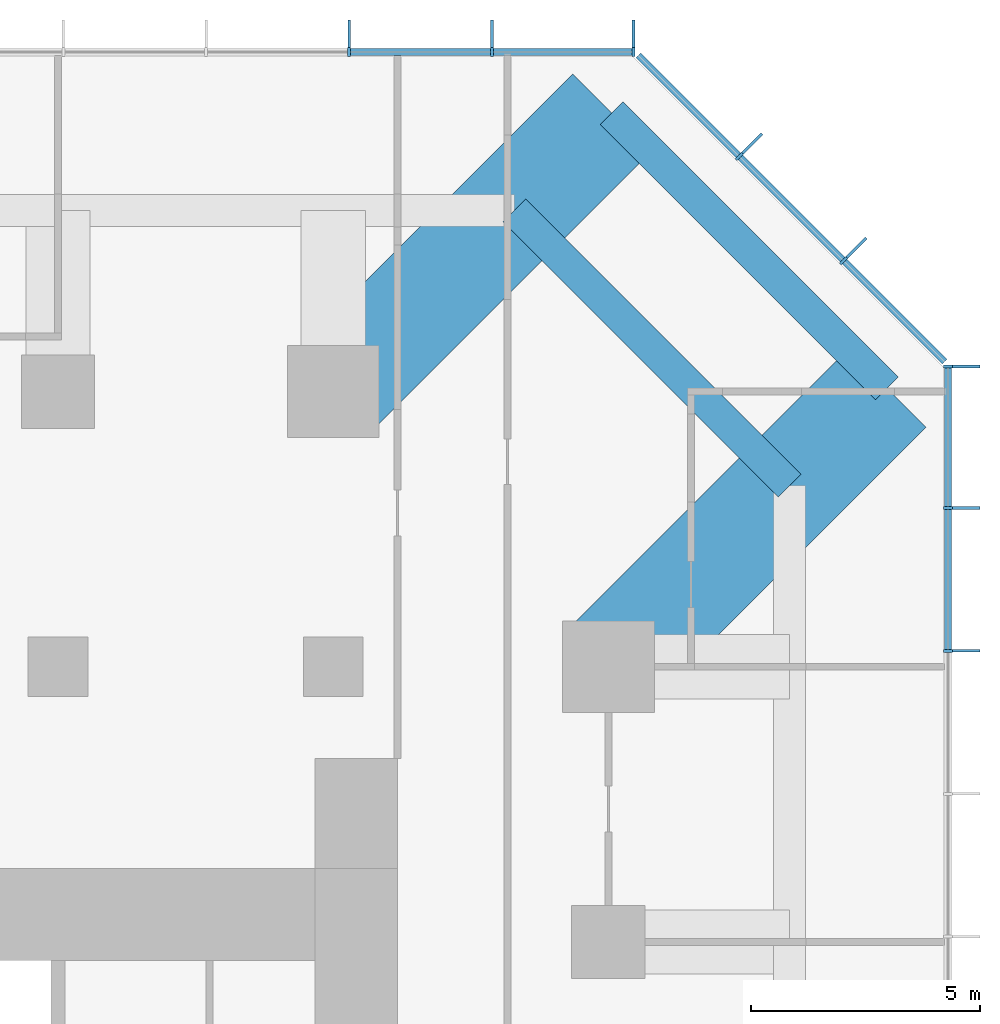
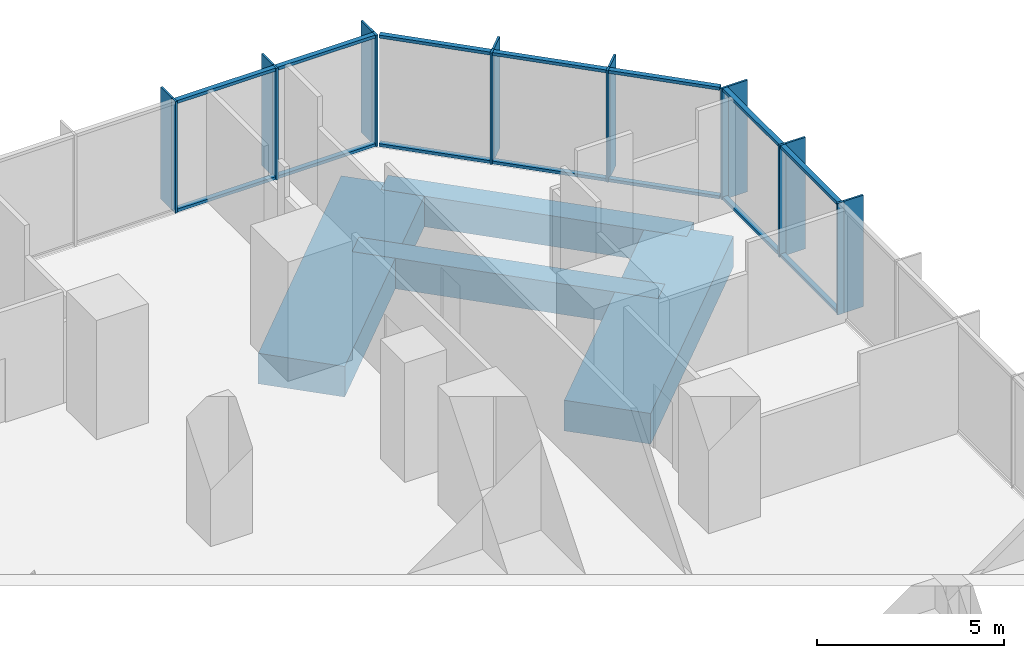
# One storey, part 6 of 11: 30 members, 4 beams, 3 elements without a shape of their own.
"""IFC4 building model written with IfcOpenShell, lengths in metres."""

from ifc_helpers import new_model, si_unit, direction, frame, origin, origin_2d, place, context, subcontext, project, spatial, rectangle, extrude, material, layer, layer_set, material_profile, profile_set, type_object, element, aggregate, save


model = new_model("IFC4")

# Units and contexts
model_context = context("Model", 3, precision=1e-05, world=origin(), true_north=direction((0.0, 1.0)))
body_context = subcontext(model_context, "Body", "Model", "MODEL_VIEW")
ifc_project = project(units=[si_unit("LENGTHUNIT", "METRE"), si_unit("AREAUNIT", "SQUARE_METRE"), si_unit("VOLUMEUNIT", "CUBIC_METRE"), si_unit("PLANEANGLEUNIT", "RADIAN"), si_unit("MASSUNIT", "GRAM", prefix="KILO")], contexts=[model_context])

# Site, building, storey
site_placement = place(None, origin())
site = spatial("IfcSite", under=ifc_project, at=site_placement, CompositionType="ELEMENT")
building_placement = place(site_placement, origin())
building = spatial("IfcBuilding", under=site, at=building_placement, Name="Highveld Stack Headquarters", CompositionType="ELEMENT")
storey_placement = place(building_placement, frame((0.0, 0.0, 169.39990234375)))
storey = spatial("IfcBuildingStorey", under=building, at=storey_placement, Name="L41", CompositionType="ELEMENT", Elevation=169.39990234375)

# Beams
ifc_material_1 = material(Name="Concrete C60/75", Category="concrete")
ifc_material_profile_1 = material_profile(ifc_material_1, rectangle(XDim=2.39990234375, YDim=1.0, at=origin_2d()), Name="RC 2400x1000")
ifc_profile_set_1 = profile_set([ifc_material_profile_1], Name="Concrete C60/75")
beam_type_1 = type_object("IfcBeamType", Name="CANTILEVER RIB RC 2400x1000", PredefinedType="USERDEFINED", material=ifc_profile_set_1)
for number, where, z_axis, x_axis, name in (
    (1, (18.0, 24.0, -0.75), (0.707106781187, 0.707106781187, 0.0), (-0.707106781187, 0.707106781187, 0.0), "Cantilever rib 9/J L41"),
    (2, (24.0, 18.0, -0.75), (0.707106781187, 0.707106781187, 0.0), (-0.707106781187, 0.707106781187, 0.0), "Cantilever rib 10/H L41"),
):
    element("IfcBeam", number, at=place(storey_placement, frame(where, z_axis=z_axis, x_axis=x_axis)), inside=storey, type_object=beam_type_1, Name=name, ObjectType="CANTILEVER RIB", PredefinedType="USERDEFINED", context=body_context, shape_type="SweptSolid", body=[
        extrude(rectangle(XDim=2.39990234375, YDim=1.0, at=origin_2d()), origin(), (0.0, 0.0, 1.0), 8.585693359375),
    ])

# Curtain wall, members
ifc_material_2 = material(Name="Aluminium bronze anodised", Category="aluminium")
ifc_layer = layer(ifc_material_2, 0.199951171875)
ifc_layer_set = layer_set([ifc_layer], Name="Aluminium bronze anodised")
curtain_wall_type = type_object("IfcCurtainWallType", Name="CW6 SKY LOBBY UNITISED CURTAIN WALL", PredefinedType="NOTDEFINED", material=ifc_layer_set)
curtain_wall_1_placement = place(storey_placement, origin())
curtain_wall_1 = element("IfcCurtainWall", 3, at=curtain_wall_1_placement, inside=storey, type_object=curtain_wall_type, Name="Curtain wall CW6 L41 E", PredefinedType="NOTDEFINED")
ifc_material_3 = material(Name="Aluminium bronze anodised", Category="aluminium")
ifc_material_profile_2 = material_profile(ifc_material_3, rectangle(XDim=0.60009765625, YDim=0.06005859375, at=origin_2d()), Name="FIN 600x60")
ifc_profile_set_2 = profile_set([ifc_material_profile_2], Name="Aluminium bronze anodised")
member_type_1 = type_object("IfcMemberType", Name="CW6 BRONZE FIN 600x60", PredefinedType="USERDEFINED", material=ifc_profile_set_2)
member_1_placement = place(storey_placement, frame((31.800048828125, 18.347900390625, 0.0), z_axis=(0.0, 0.0, 1.0), x_axis=(-1.0, 0.0, 0.0)))
member_1 = element("IfcMember", 4, at=member_1_placement, type_object=member_type_1, Name="CW6 fin L41 9", ObjectType="FIN", PredefinedType="USERDEFINED", context=body_context, shape_type="SweptSolid", body=[
    extrude(rectangle(XDim=0.60009765625, YDim=0.06005859375, at=origin_2d()), origin(), (0.0, 0.0, 1.0), 3.650146484375),
])
member_2_placement = place(storey_placement, frame((31.800048828125, 21.4638671875, 0.0), z_axis=(0.0, 0.0, 1.0), x_axis=(-1.0, 0.0, 0.0)))
member_2 = element("IfcMember", 5, at=member_2_placement, type_object=member_type_1, Name="CW6 fin L41 10", ObjectType="FIN", PredefinedType="USERDEFINED", context=body_context, shape_type="SweptSolid", body=[
    extrude(rectangle(XDim=0.60009765625, YDim=0.06005859375, at=origin_2d()), origin(), (0.0, 0.0, 1.0), 3.650146484375),
])
member_3_placement = place(storey_placement, frame((31.800048828125, 24.54736328125, 0.0), z_axis=(0.0, 0.0, 1.0), x_axis=(-1.0, 0.0, 0.0)))
member_3 = element("IfcMember", 6, at=member_3_placement, type_object=member_type_1, Name="CW6 fin L41 11", ObjectType="FIN", PredefinedType="USERDEFINED", context=body_context, shape_type="SweptSolid", body=[
    extrude(rectangle(XDim=0.60009765625, YDim=0.06005859375, at=origin_2d()), origin(), (0.0, 0.0, 1.0), 3.650146484375),
])

curtain_wall_2_placement = place(storey_placement, origin())
curtain_wall_2 = element("IfcCurtainWall", 7, at=curtain_wall_2_placement, inside=storey, type_object=curtain_wall_type, Name="Curtain wall CW6 L41 NE", PredefinedType="NOTDEFINED")
member_4_placement = place(storey_placement, frame((29.409423828125, 27.135986328125, 0.0), z_axis=(0.0, 0.0, 1.0), x_axis=(-0.707106781187, -0.707106781187, 0.0)))
member_4 = element("IfcMember", 8, at=member_4_placement, type_object=member_type_1, Name="CW6 fin L41 1", ObjectType="FIN", PredefinedType="USERDEFINED", context=body_context, shape_type="SweptSolid", body=[
    extrude(rectangle(XDim=0.60009765625, YDim=0.06005859375, at=origin_2d()), origin(), (0.0, 0.0, 1.0), 3.650146484375),
])
member_5_placement = place(storey_placement, frame((27.135986328125, 29.409423828125, 0.0), z_axis=(0.0, 0.0, 1.0), x_axis=(-0.707106781187, -0.707106781187, 0.0)))
member_5 = element("IfcMember", 9, at=member_5_placement, type_object=member_type_1, Name="CW6 fin L41 2", ObjectType="FIN", PredefinedType="USERDEFINED", context=body_context, shape_type="SweptSolid", body=[
    extrude(rectangle(XDim=0.60009765625, YDim=0.06005859375, at=origin_2d()), origin(), (0.0, 0.0, 1.0), 3.650146484375),
])

curtain_wall_3_placement = place(storey_placement, origin())
curtain_wall_3 = element("IfcCurtainWall", 10, at=curtain_wall_3_placement, inside=storey, type_object=curtain_wall_type, Name="Curtain wall CW6 L41 N", PredefinedType="NOTDEFINED")
member_6_placement = place(storey_placement, frame((24.54736328125, 31.800048828125, 0.0), z_axis=(0.0, 0.0, 1.0), x_axis=(0.0, -1.0, 0.0)))
member_6 = element("IfcMember", 11, at=member_6_placement, type_object=member_type_1, Name="CW6 fin L41 1", ObjectType="FIN", PredefinedType="USERDEFINED", context=body_context, shape_type="SweptSolid", body=[
    extrude(rectangle(XDim=0.60009765625, YDim=0.06005859375, at=origin_2d()), origin(), (0.0, 0.0, 1.0), 3.650146484375),
])
member_7_placement = place(storey_placement, frame((21.4638671875, 31.800048828125, 0.0), z_axis=(0.0, 0.0, 1.0), x_axis=(0.0, -1.0, 0.0)))
member_7 = element("IfcMember", 12, at=member_7_placement, type_object=member_type_1, Name="CW6 fin L41 2", ObjectType="FIN", PredefinedType="USERDEFINED", context=body_context, shape_type="SweptSolid", body=[
    extrude(rectangle(XDim=0.60009765625, YDim=0.06005859375, at=origin_2d()), origin(), (0.0, 0.0, 1.0), 3.650146484375),
])
member_8_placement = place(storey_placement, frame((18.347900390625, 31.800048828125, 0.0), z_axis=(0.0, 0.0, 1.0), x_axis=(0.0, -1.0, 0.0)))
member_8 = element("IfcMember", 13, at=member_8_placement, type_object=member_type_1, Name="CW6 fin L41 3", ObjectType="FIN", PredefinedType="USERDEFINED", context=body_context, shape_type="SweptSolid", body=[
    extrude(rectangle(XDim=0.60009765625, YDim=0.06005859375, at=origin_2d()), origin(), (0.0, 0.0, 1.0), 3.650146484375),
])

# Member
ifc_material_4 = material(Name="Aluminium bronze anodised", Category="aluminium")
ifc_material_profile_3 = material_profile(ifc_material_4, rectangle(XDim=0.199951171875, YDim=0.06494140625, at=origin_2d()), Name="CW6 MULLION 65x200")
ifc_profile_set_3 = profile_set([ifc_material_profile_3], Name="Aluminium bronze anodised")
member_type_2 = type_object("IfcMemberType", Name="CW6 MULLION 65x200", PredefinedType="MULLION", material=ifc_profile_set_3)
member_9_placement = place(storey_placement, frame((31.39990234375, 18.347900390625, 0.0), z_axis=(0.0, 0.0, 1.0), x_axis=(-1.0, 0.0, 0.0)))
member_9 = element("IfcMember", 14, at=member_9_placement, type_object=member_type_2, Name="CW6 mullion L41 9", PredefinedType="MULLION", context=body_context, shape_type="SweptSolid", body=[
    extrude(rectangle(XDim=0.199951171875, YDim=0.06494140625, at=origin_2d()), origin(), (0.0, 0.0, 1.0), 3.650146484375),
])

member_10_placement = place(storey_placement, frame((31.39990234375, 21.4638671875, 0.0), z_axis=(0.0, 0.0, 1.0), x_axis=(-1.0, 0.0, 0.0)))
member_10 = element("IfcMember", 15, at=member_10_placement, type_object=member_type_2, Name="CW6 mullion L41 10", PredefinedType="MULLION", context=body_context, shape_type="SweptSolid", body=[
    extrude(rectangle(XDim=0.199951171875, YDim=0.06494140625, at=origin_2d()), origin(), (0.0, 0.0, 1.0), 3.650146484375),
])

member_11_placement = place(storey_placement, frame((31.39990234375, 24.54736328125, 0.0), z_axis=(0.0, 0.0, 1.0), x_axis=(-1.0, 0.0, 0.0)))
member_11 = element("IfcMember", 16, at=member_11_placement, type_object=member_type_2, Name="CW6 mullion L41 11", PredefinedType="MULLION", context=body_context, shape_type="SweptSolid", body=[
    extrude(rectangle(XDim=0.199951171875, YDim=0.06494140625, at=origin_2d()), origin(), (0.0, 0.0, 1.0), 3.650146484375),
])

member_12_placement = place(storey_placement, frame((29.126708984375, 26.853271484375, 0.0), z_axis=(0.0, 0.0, 1.0), x_axis=(-0.707106781187, -0.707106781187, 0.0)))
member_12 = element("IfcMember", 17, at=member_12_placement, type_object=member_type_2, Name="CW6 mullion L41 1", PredefinedType="MULLION", context=body_context, shape_type="SweptSolid", body=[
    extrude(rectangle(XDim=0.199951171875, YDim=0.06494140625, at=origin_2d()), origin(), (0.0, 0.0, 1.0), 3.650146484375),
])

member_13_placement = place(storey_placement, frame((26.853271484375, 29.126708984375, 0.0), z_axis=(0.0, 0.0, 1.0), x_axis=(-0.707106781187, -0.707106781187, 0.0)))
member_13 = element("IfcMember", 18, at=member_13_placement, type_object=member_type_2, Name="CW6 mullion L41 2", PredefinedType="MULLION", context=body_context, shape_type="SweptSolid", body=[
    extrude(rectangle(XDim=0.199951171875, YDim=0.06494140625, at=origin_2d()), origin(), (0.0, 0.0, 1.0), 3.650146484375),
])

member_14_placement = place(storey_placement, frame((24.54736328125, 31.39990234375, 0.0), z_axis=(0.0, 0.0, 1.0), x_axis=(0.0, -1.0, 0.0)))
member_14 = element("IfcMember", 19, at=member_14_placement, type_object=member_type_2, Name="CW6 mullion L41 1", PredefinedType="MULLION", context=body_context, shape_type="SweptSolid", body=[
    extrude(rectangle(XDim=0.199951171875, YDim=0.06494140625, at=origin_2d()), origin(), (0.0, 0.0, 1.0), 3.650146484375),
])

member_15_placement = place(storey_placement, frame((21.4638671875, 31.39990234375, 0.0), z_axis=(0.0, 0.0, 1.0), x_axis=(0.0, -1.0, 0.0)))
member_15 = element("IfcMember", 20, at=member_15_placement, type_object=member_type_2, Name="CW6 mullion L41 2", PredefinedType="MULLION", context=body_context, shape_type="SweptSolid", body=[
    extrude(rectangle(XDim=0.199951171875, YDim=0.06494140625, at=origin_2d()), origin(), (0.0, 0.0, 1.0), 3.650146484375),
])

member_16_placement = place(storey_placement, frame((18.347900390625, 31.39990234375, 0.0), z_axis=(0.0, 0.0, 1.0), x_axis=(0.0, -1.0, 0.0)))
member_16 = element("IfcMember", 21, at=member_16_placement, type_object=member_type_2, Name="CW6 mullion L41 3", PredefinedType="MULLION", context=body_context, shape_type="SweptSolid", body=[
    extrude(rectangle(XDim=0.199951171875, YDim=0.06494140625, at=origin_2d()), origin(), (0.0, 0.0, 1.0), 3.650146484375),
])

ifc_material_5 = material(Name="Aluminium bronze anodised", Category="aluminium")
ifc_material_profile_4 = material_profile(ifc_material_5, rectangle(XDim=0.14990234375, YDim=0.10009765625, at=origin_2d()), Name="CW6 TRANSOM 150x100")
ifc_profile_set_4 = profile_set([ifc_material_profile_4], Name="Aluminium bronze anodised")
member_type_3 = type_object("IfcMemberType", Name="CW6 STACK TRANSOM 150x100", PredefinedType="USERDEFINED", material=ifc_profile_set_4)
member_17_placement = place(storey_placement, frame((31.39990234375, 18.38037109375, 0.050048828125), z_axis=(0.0, 1.0, 0.0), x_axis=(-1.0, 0.0, 0.0)))
member_17 = element("IfcMember", 22, at=member_17_placement, type_object=member_type_3, Name="CW6 transom L41 9.1", ObjectType="TRANSOM", PredefinedType="USERDEFINED", context=body_context, shape_type="SweptSolid", body=[
    extrude(rectangle(XDim=0.14990234375, YDim=0.10009765625, at=origin_2d()), origin(), (0.0, 0.0, 1.0), 3.051025390625),
])

member_18_placement = place(storey_placement, frame((31.39990234375, 18.38037109375, 3.60009765625), z_axis=(0.0, 1.0, 0.0), x_axis=(-1.0, 0.0, 0.0)))
member_18 = element("IfcMember", 23, at=member_18_placement, type_object=member_type_3, Name="CW6 transom L41 9.2", ObjectType="TRANSOM", PredefinedType="USERDEFINED", context=body_context, shape_type="SweptSolid", body=[
    extrude(rectangle(XDim=0.14990234375, YDim=0.10009765625, at=origin_2d()), origin(), (0.0, 0.0, 1.0), 3.051025390625),
])

member_19_placement = place(storey_placement, frame((31.39990234375, 21.496337890625, 0.050048828125), z_axis=(0.0, 1.0, 0.0), x_axis=(-1.0, 0.0, 0.0)))
member_19 = element("IfcMember", 24, at=member_19_placement, type_object=member_type_3, Name="CW6 transom L41 10.1", ObjectType="TRANSOM", PredefinedType="USERDEFINED", context=body_context, shape_type="SweptSolid", body=[
    extrude(rectangle(XDim=0.14990234375, YDim=0.10009765625, at=origin_2d()), origin(), (0.0, 0.0, 1.0), 3.0185546875),
])

member_20_placement = place(storey_placement, frame((31.39990234375, 21.496337890625, 3.60009765625), z_axis=(0.0, 1.0, 0.0), x_axis=(-1.0, 0.0, 0.0)))
member_20 = element("IfcMember", 25, at=member_20_placement, type_object=member_type_3, Name="CW6 transom L41 10.2", ObjectType="TRANSOM", PredefinedType="USERDEFINED", context=body_context, shape_type="SweptSolid", body=[
    extrude(rectangle(XDim=0.14990234375, YDim=0.10009765625, at=origin_2d()), origin(), (0.0, 0.0, 1.0), 3.0185546875),
])

aggregate(curtain_wall_1, [member_9, member_1, member_10, member_2, member_11, member_3, member_17, member_18, member_19, member_20])

member_21_placement = place(storey_placement, frame((31.329345703125, 24.650634765625, 0.050048828125), z_axis=(-0.707106781187, 0.707106781187, 0.0), x_axis=(-0.707106781187, -0.707106781187, 0.0)))
member_21 = element("IfcMember", 26, at=member_21_placement, type_object=member_type_3, Name="CW6 transom L41 1.1", ObjectType="TRANSOM", PredefinedType="USERDEFINED", context=body_context, shape_type="SweptSolid", body=[
    extrude(rectangle(XDim=0.14990234375, YDim=0.10009765625, at=origin_2d()), origin(), (0.0, 0.0, 1.0), 3.08251953125),
])

member_22_placement = place(storey_placement, frame((31.329345703125, 24.650634765625, 3.60009765625), z_axis=(-0.707106781187, 0.707106781187, 0.0), x_axis=(-0.707106781187, -0.707106781187, 0.0)))
member_22 = element("IfcMember", 27, at=member_22_placement, type_object=member_type_3, Name="CW6 transom L41 1.2", ObjectType="TRANSOM", PredefinedType="USERDEFINED", context=body_context, shape_type="SweptSolid", body=[
    extrude(rectangle(XDim=0.14990234375, YDim=0.10009765625, at=origin_2d()), origin(), (0.0, 0.0, 1.0), 3.08251953125),
])

member_23_placement = place(storey_placement, frame((29.103759765625, 26.876220703125, 0.050048828125), z_axis=(-0.707106781187, 0.707106781187, 0.0), x_axis=(-0.707106781187, -0.707106781187, 0.0)))
member_23 = element("IfcMember", 28, at=member_23_placement, type_object=member_type_3, Name="CW6 transom L41 2.1", ObjectType="TRANSOM", PredefinedType="USERDEFINED", context=body_context, shape_type="SweptSolid", body=[
    extrude(rectangle(XDim=0.14990234375, YDim=0.10009765625, at=origin_2d()), origin(), (0.0, 0.0, 1.0), 3.150146484375),
])

member_24_placement = place(storey_placement, frame((29.103759765625, 26.876220703125, 3.60009765625), z_axis=(-0.707106781187, 0.707106781187, 0.0), x_axis=(-0.707106781187, -0.707106781187, 0.0)))
member_24 = element("IfcMember", 29, at=member_24_placement, type_object=member_type_3, Name="CW6 transom L41 2.2", ObjectType="TRANSOM", PredefinedType="USERDEFINED", context=body_context, shape_type="SweptSolid", body=[
    extrude(rectangle(XDim=0.14990234375, YDim=0.10009765625, at=origin_2d()), origin(), (0.0, 0.0, 1.0), 3.150146484375),
])

member_25_placement = place(storey_placement, frame((26.830322265625, 29.149658203125, 0.050048828125), z_axis=(-0.707106781187, 0.707106781187, 0.0), x_axis=(-0.707106781187, -0.707106781187, 0.0)))
member_25 = element("IfcMember", 30, at=member_25_placement, type_object=member_type_3, Name="CW6 transom L41 3.1", ObjectType="TRANSOM", PredefinedType="USERDEFINED", context=body_context, shape_type="SweptSolid", body=[
    extrude(rectangle(XDim=0.14990234375, YDim=0.10009765625, at=origin_2d()), origin(), (0.0, 0.0, 1.0), 3.08251953125),
])

member_26_placement = place(storey_placement, frame((26.830322265625, 29.149658203125, 3.60009765625), z_axis=(-0.707106781187, 0.707106781187, 0.0), x_axis=(-0.707106781187, -0.707106781187, 0.0)))
member_26 = element("IfcMember", 31, at=member_26_placement, type_object=member_type_3, Name="CW6 transom L41 3.2", ObjectType="TRANSOM", PredefinedType="USERDEFINED", context=body_context, shape_type="SweptSolid", body=[
    extrude(rectangle(XDim=0.14990234375, YDim=0.10009765625, at=origin_2d()), origin(), (0.0, 0.0, 1.0), 3.08251953125),
])

aggregate(curtain_wall_2, [member_12, member_4, member_13, member_5, member_21, member_22, member_23, member_24, member_25, member_26])

member_27_placement = place(storey_placement, frame((24.514892578125, 31.39990234375, 0.050048828125), z_axis=(-1.0, 0.0, 0.0), x_axis=(0.0, -1.0, 0.0)))
member_27 = element("IfcMember", 32, at=member_27_placement, type_object=member_type_3, Name="CW6 transom L41 1.1", ObjectType="TRANSOM", PredefinedType="USERDEFINED", context=body_context, shape_type="SweptSolid", body=[
    extrude(rectangle(XDim=0.14990234375, YDim=0.10009765625, at=origin_2d()), origin(), (0.0, 0.0, 1.0), 3.0185546875),
])

member_28_placement = place(storey_placement, frame((24.514892578125, 31.39990234375, 3.60009765625), z_axis=(-1.0, 0.0, 0.0), x_axis=(0.0, -1.0, 0.0)))
member_28 = element("IfcMember", 33, at=member_28_placement, type_object=member_type_3, Name="CW6 transom L41 1.2", ObjectType="TRANSOM", PredefinedType="USERDEFINED", context=body_context, shape_type="SweptSolid", body=[
    extrude(rectangle(XDim=0.14990234375, YDim=0.10009765625, at=origin_2d()), origin(), (0.0, 0.0, 1.0), 3.0185546875),
])

member_29_placement = place(storey_placement, frame((21.431396484375, 31.39990234375, 0.050048828125), z_axis=(-1.0, 0.0, 0.0), x_axis=(0.0, -1.0, 0.0)))
member_29 = element("IfcMember", 34, at=member_29_placement, type_object=member_type_3, Name="CW6 transom L41 2.1", ObjectType="TRANSOM", PredefinedType="USERDEFINED", context=body_context, shape_type="SweptSolid", body=[
    extrude(rectangle(XDim=0.14990234375, YDim=0.10009765625, at=origin_2d()), origin(), (0.0, 0.0, 1.0), 3.051025390625),
])

member_30_placement = place(storey_placement, frame((21.431396484375, 31.39990234375, 3.60009765625), z_axis=(-1.0, 0.0, 0.0), x_axis=(0.0, -1.0, 0.0)))
member_30 = element("IfcMember", 35, at=member_30_placement, type_object=member_type_3, Name="CW6 transom L41 2.2", ObjectType="TRANSOM", PredefinedType="USERDEFINED", context=body_context, shape_type="SweptSolid", body=[
    extrude(rectangle(XDim=0.14990234375, YDim=0.10009765625, at=origin_2d()), origin(), (0.0, 0.0, 1.0), 3.051025390625),
])

aggregate(curtain_wall_3, [member_14, member_6, member_15, member_7, member_16, member_8, member_27, member_28, member_29, member_30])

# Beams
ifc_material_6 = material(Name="Concrete C60/75", Category="concrete")
ifc_material_profile_5 = material_profile(ifc_material_6, rectangle(XDim=0.699951171875, YDim=1.0, at=origin_2d()), Name="RC 700x1000")
ifc_profile_set_5 = profile_set([ifc_material_profile_5], Name="Concrete C60/75")
beam_type_2 = type_object("IfcBeamType", Name="RIB TIP BEAM RC 700x1000", PredefinedType="SPANDREL", material=ifc_profile_set_5)
for number, where, z_axis, x_axis, name in (
    (36, (21.949951171875, 27.949951171875, -0.75), (0.707106781187, -0.707106781187, 0.0), (0.707106781187, 0.707106781187, 0.0), "Rib tip beam 9/J to 10/H chamfer L41"),
    (37, (24.071044921875, 30.071044921875, -0.75), (0.707106781187, -0.707106781187, 0.0), (0.707106781187, 0.707106781187, 0.0), "Rib tip beam 9/J to 10/H chamfer edge L41"),
):
    element("IfcBeam", number, at=place(storey_placement, frame(where, z_axis=z_axis, x_axis=x_axis)), inside=storey, type_object=beam_type_2, Name=name, PredefinedType="SPANDREL", context=body_context, shape_type="SweptSolid", body=[
        extrude(rectangle(XDim=0.699951171875, YDim=1.0, at=origin_2d()), origin(), (0.0, 0.0, 1.0), 8.4853515625),
    ])

save(model, "model.ifc")
